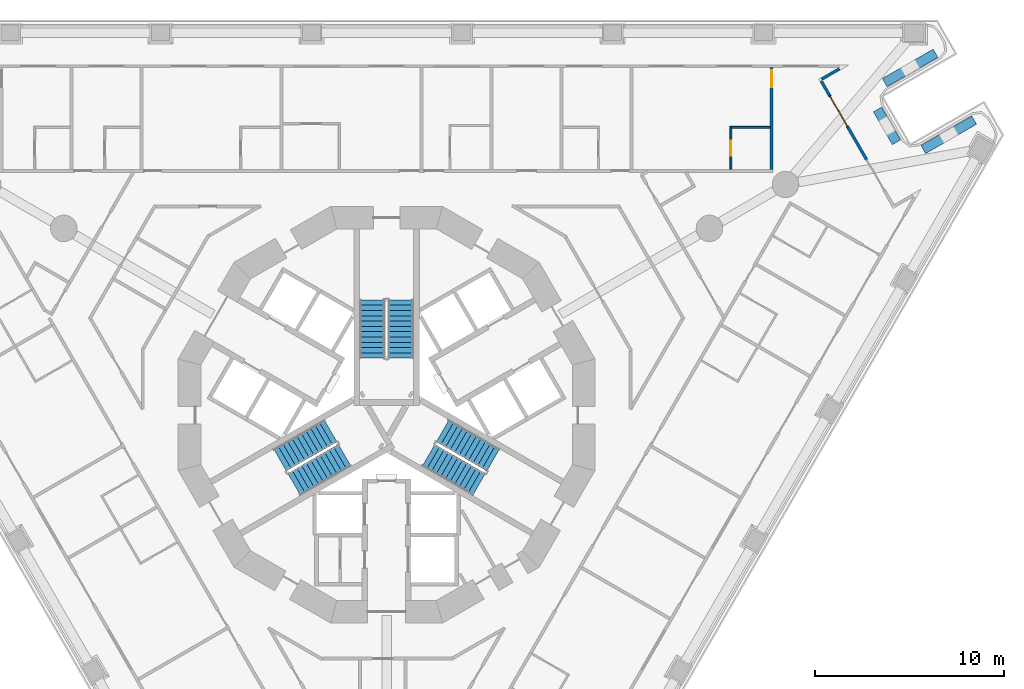
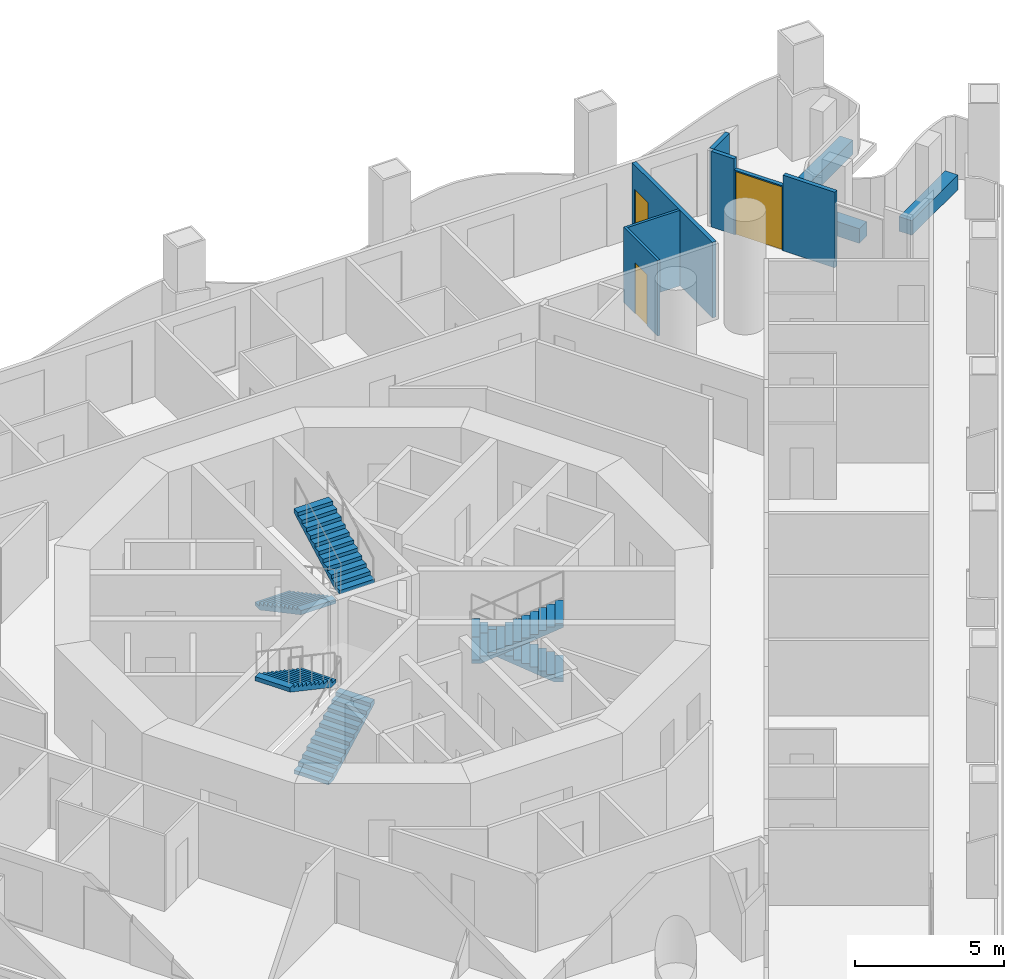
# One storey, part 10 of 19: 10 walls, 6 stair flights, 3 doors, 3 openings, 3 elements without a shape of their own.
"""IFC4 building model written with IfcOpenShell, lengths in metres."""

from ifc_helpers import new_model, si_unit, direction, frame, frame_2d, origin, place, context, subcontext, project, spatial, polyline, rectangle, outline, extrude, material, layer, layer_set, type_object, element, fill, aggregate, save


model = new_model("IFC4")

# Units and contexts
model_context = context("Model", 3, precision=1e-05, world=origin(), true_north=direction((0.0, 1.0)))
body_context = subcontext(model_context, "Body", "Model", "MODEL_VIEW")
ifc_project = project(units=[si_unit("LENGTHUNIT", "METRE"), si_unit("AREAUNIT", "SQUARE_METRE"), si_unit("VOLUMEUNIT", "CUBIC_METRE"), si_unit("PLANEANGLEUNIT", "RADIAN"), si_unit("MASSUNIT", "GRAM", prefix="KILO")], contexts=[model_context])

# Site, building, storey
site_placement = place(None, origin())
site = spatial("IfcSite", under=ifc_project, at=site_placement, CompositionType="ELEMENT")
building_placement = place(site_placement, origin())
building = spatial("IfcBuilding", under=site, at=building_placement, Name="Trine Commons Tower", CompositionType="ELEMENT")
storey_placement = place(building_placement, frame((0.0, 0.0, 42.300048828125)))
storey = spatial("IfcBuildingStorey", under=building, at=storey_placement, Name="L09", CompositionType="ELEMENT", Elevation=42.300048828125)

# Walls
ifc_material_1 = material(Name="Aluminium-framed insulated wall panel", Category="aluminium")
ifc_layer_1 = layer(ifc_material_1, 0.14990234375)
ifc_layer_set_1 = layer_set([ifc_layer_1], Name="Aluminium-framed insulated wall panel")
wall_type_1 = type_object("IfcWallType", Name="Glazed frame wall 150, EI 60", PredefinedType="SOLIDWALL", material=ifc_layer_set_1)
wall_1_placement = place(storey_placement, frame((104.060546875, 80.854248046875, 0.0), z_axis=(0.0, 0.0, 1.0), x_axis=(-0.86606770004, -0.49992673358, 0.0)))
element("IfcWall", 1, at=wall_1_placement, inside=storey, type_object=wall_type_1, Name="Glazed frame wall R5", PredefinedType="SOLIDWALL", context=body_context, shape_type="SweptSolid", body=[
    extrude(outline(polyline([(0.1494140625, 0.074951171875), (0.1494140625, -0.074951171875), (1.235107421875, -0.074951171875), (1.235107421875, 0.074951171875), (0.1494140625, 0.074951171875)])), origin(), (0.0, 0.0, 1.0), 3.099853515625),
])
wall_2_placement = place(storey_placement, frame((102.90869140625, 80.2294921875, 0.0), z_axis=(0.0, 0.0, 1.0), x_axis=(0.50002537861, -0.866010750942, 0.0)))
element("IfcWall", 2, at=wall_2_placement, inside=storey, type_object=wall_type_1, Name="Glazed frame wall P2.1", PredefinedType="SOLIDWALL", context=body_context, shape_type="SweptSolid", body=[
    extrude(outline(polyline([(0.110107421875, -0.074951171875), (1.0, -0.074951171875), (1.0, 0.074951171875), (0.110107421875, 0.074951171875), (0.110107421875, -0.074951171875)])), origin(), (0.0, 0.0, 1.0), 3.099853515625),
])

# Wall, opening, door
wall_3_placement = place(storey_placement, frame((103.40869140625, 79.363525390625, 0.0), z_axis=(0.0, 0.0, 1.0), x_axis=(0.499967155389, -0.866044365799, 0.0)))
wall_3 = element("IfcWall", 3, at=wall_3_placement, inside=storey, type_object=wall_type_1, Name="Glazed frame wall P2.2", PredefinedType="SOLIDWALL", context=body_context, shape_type="SweptSolid", body=[
    extrude(outline(polyline([(0.0, -0.074951171875), (1.89990234375, -0.074951171875), (1.89990234375, 0.074951171875), (0.0, 0.074951171875), (0.0, -0.074951171875)])), origin(), (0.0, 0.0, 1.0), 2.64990234375),
])
opening_1_placement = place(wall_3_placement, frame((0.050048828125, 0.0, 0.0)))
opening_1 = element("IfcOpeningElement", 4, at=opening_1_placement, cuts=wall_3, Name="Opening BD-1P2-01", PredefinedType="OPENING", context=body_context, shape_type="SweptSolid", body=[
    extrude(rectangle(XDim=1.800048828125, YDim=2.60009765625, at=frame_2d((0.89990234375, 1.300048828125))), frame((0.0, 0.0849609375, 0.0), z_axis=(0.0, -1.0, 0.0), x_axis=(1.0, 0.0, 0.0)), (0.0, 0.0, 1.0), 0.169921875),
])
ifc_material_2 = material(Name="Anodised aluminium frame with double glazing", Category="aluminium")
door_type_1 = type_object("IfcDoorType", Name="Sliding loggia door 1800x2600", OperationType="SLIDING_TO_LEFT", PredefinedType="DOOR", material=ifc_material_2)
door_1_placement = place(opening_1_placement, origin())
door_1 = element("IfcDoor", 5, at=door_1_placement, inside=storey, type_object=door_type_1, Name="Loggia door P2 1", OperationType="SLIDING_TO_LEFT", OverallHeight=2.60009765625, OverallWidth=1.800048828125, PredefinedType="DOOR", context=body_context, shape_type="SweptSolid", body=[
    extrude(rectangle(XDim=1.800048828125, YDim=2.60009765625, at=frame_2d((0.89990234375, 1.300048828125))), frame((0.0, 0.02490234375, 0.0), z_axis=(0.0, -1.0, 0.0), x_axis=(1.0, 0.0, 0.0)), (0.0, 0.0, 1.0), 0.050048828125),
])
fill(opening_1, door_1)

# Walls
wall_4_placement = place(storey_placement, frame((104.358642578125, 77.718017578125, 0.0), z_axis=(0.0, 0.0, 1.0), x_axis=(0.50002537861, -0.866010750942, 0.0)))
element("IfcWall", 6, at=wall_4_placement, inside=storey, type_object=wall_type_1, Name="Glazed frame wall P2.3", PredefinedType="SOLIDWALL", context=body_context, shape_type="SweptSolid", body=[
    extrude(outline(polyline([(0.0, -0.074951171875), (2.0, -0.074951171875), (2.0, 0.074951171875), (0.0, 0.074951171875), (0.0, -0.074951171875)])), origin(), (0.0, 0.0, 1.0), 3.099853515625),
])
ifc_material_3 = material(Name="Planter trough, precast concrete C40/50", Category="concrete")
ifc_layer_2 = layer(ifc_material_3, 0.5)
ifc_layer_set_2 = layer_set([ifc_layer_2], Name="Planter trough, precast concrete C40/50")
wall_type_2 = type_object("IfcWallType", Name="Planter trough 500x600", PredefinedType="PARAPET", material=ifc_layer_set_2)
wall_5_placement = place(storey_placement, frame((109.00439453125, 81.601318359375, 0.0), z_axis=(0.0, 0.0, 1.0), x_axis=(-0.86602952684, -0.49999285859, 0.0)))
element("IfcWall", 7, at=wall_5_placement, inside=storey, type_object=wall_type_2, Name="Planter 4", PredefinedType="PARAPET", context=body_context, shape_type="SweptSolid", body=[
    extrude(rectangle(XDim=3.10009765625, YDim=0.5, at=frame_2d((1.550048828125, 0.0))), origin(), (0.0, 0.0, 1.0), 0.599853515625),
])
wall_6_placement = place(storey_placement, frame((105.939208984375, 78.630615234375, 0.0), z_axis=(0.0, 0.0, 1.0), x_axis=(0.50002537861, -0.866010750942, 0.0)))
element("IfcWall", 8, at=wall_6_placement, inside=storey, type_object=wall_type_2, Name="Planter 5", PredefinedType="PARAPET", context=body_context, shape_type="SweptSolid", body=[
    extrude(rectangle(XDim=2.0, YDim=0.5, at=frame_2d((1.0, 0.0))), origin(), (0.0, 0.0, 1.0), 0.599853515625),
])
wall_7_placement = place(storey_placement, frame((108.359619140625, 76.51806640625, 0.0), z_axis=(0.0, 0.0, 1.0), x_axis=(0.86602952684, 0.49999285859, 0.0)))
element("IfcWall", 9, at=wall_7_placement, inside=storey, type_object=wall_type_2, Name="Planter 6", PredefinedType="PARAPET", context=body_context, shape_type="SweptSolid", body=[
    extrude(rectangle(XDim=3.10009765625, YDim=0.5, at=frame_2d((1.550048828125, 0.0))), origin(), (0.0, 0.0, 1.0), 0.599853515625),
])

# Wall, opening, door
ifc_material_4 = material(Name="Gypsum plasterboard on steel stud", Category="steel")
ifc_layer_3 = layer(ifc_material_4, 0.14990234375)
ifc_layer_set_3 = layer_set([ifc_layer_3], Name="Gypsum plasterboard on steel stud")
wall_type_3 = type_object("IfcWallType", Name="Unit and corridor wall 150 mm, EI 60", PredefinedType="PARTITIONING", material=ifc_layer_set_3)
wall_8_placement = place(storey_placement, frame((100.343994140625, 75.4619140625, 0.0), z_axis=(0.0, 0.0, 1.0), x_axis=(0.0, 1.0, 0.0)))
wall_8 = element("IfcWall", 10, at=wall_8_placement, inside=storey, type_object=wall_type_3, Name="Partition 120", PredefinedType="PARTITIONING", context=body_context, shape_type="SweptSolid", body=[
    extrude(rectangle(XDim=5.383056640625, YDim=0.14990234375, at=frame_2d((2.69140625, 0.0))), origin(), (0.0, 0.0, 1.0), 3.099853515625),
])
opening_2_placement = place(wall_8_placement, frame((4.3330078125, 0.0, 0.0)))
opening_2 = element("IfcOpeningElement", 11, at=opening_2_placement, cuts=wall_8, Name="Opening D-1B14", PredefinedType="OPENING", context=body_context, shape_type="SweptSolid", body=[
    extrude(rectangle(XDim=0.89990234375, YDim=2.10009765625, at=frame_2d((0.449951171875, 1.050048828125))), frame((0.0, 0.0849609375, 0.0), z_axis=(0.0, -1.0, 0.0), x_axis=(1.0, 0.0, 0.0)), (0.0, 0.0, 1.0), 0.169921875),
])
ifc_material_5 = material(Name="Timber fire door set", Category="wood")
door_type_2 = type_object("IfcDoorType", Name="Bedroom door 900 x 2100, FD30S", OperationType="NOTDEFINED", PredefinedType="DOOR", material=ifc_material_5)
door_2_placement = place(opening_2_placement, origin())
door_2 = element("IfcDoor", 12, at=door_2_placement, inside=storey, type_object=door_type_2, Name="Door D-1B14", OperationType="SINGLE_SWING_RIGHT", OverallHeight=2.10009765625, OverallWidth=0.89990234375, PredefinedType="DOOR", context=body_context, shape_type="SweptSolid", body=[
    extrude(rectangle(XDim=0.89990234375, YDim=2.10009765625, at=frame_2d((0.449951171875, 1.050048828125))), frame((0.0, 0.02490234375, 0.0), z_axis=(0.0, -1.0, 0.0), x_axis=(1.0, 0.0, 0.0)), (0.0, 0.0, 1.0), 0.050048828125),
])
fill(opening_2, door_2)

ifc_layer_4 = layer(ifc_material_4, 0.10009765625)
ifc_layer_set_4 = layer_set([ifc_layer_4], Name="Gypsum plasterboard on steel stud")
wall_type_4 = type_object("IfcWallType", Name="Unit partition 100 mm, no rating", PredefinedType="PARTITIONING", material=ifc_layer_set_4)
wall_9_placement = place(storey_placement, frame((98.194091796875, 75.4619140625, 0.0), z_axis=(0.0, 0.0, 1.0), x_axis=(0.0, 1.0, 0.0)))
wall_9 = element("IfcWall", 13, at=wall_9_placement, inside=storey, type_object=wall_type_4, Name="Partition 114", PredefinedType="PARTITIONING", context=body_context, shape_type="SweptSolid", body=[
    extrude(rectangle(XDim=2.275146484375, YDim=0.10009765625, at=frame_2d((1.1376953125, 0.0))), origin(), (0.0, 0.0, 1.0), 3.099853515625),
])
opening_3_placement = place(wall_9_placement, frame((0.71240234375, 0.0, 0.0)))
opening_3 = element("IfcOpeningElement", 14, at=opening_3_placement, cuts=wall_9, Name="Opening D-1B43", PredefinedType="OPENING", context=body_context, shape_type="SweptSolid", body=[
    extrude(rectangle(XDim=0.800048828125, YDim=2.10009765625, at=frame_2d((0.39990234375, 1.050048828125))), frame((0.0, 0.06005859375, 0.0), z_axis=(0.0, -1.0, 0.0), x_axis=(1.0, 0.0, 0.0)), (0.0, 0.0, 1.0), 0.1201171875),
])
ifc_material_6 = material(Name="Painted timber", Category="wood")
door_type_3 = type_object("IfcDoorType", Name="Internal door 800 x 2100, NOT RATED", OperationType="NOTDEFINED", PredefinedType="DOOR", material=ifc_material_6)
door_3_placement = place(opening_3_placement, origin())
door_3 = element("IfcDoor", 15, at=door_3_placement, inside=storey, type_object=door_type_3, Name="Door D-1B43", OperationType="SINGLE_SWING_LEFT", OverallHeight=2.10009765625, OverallWidth=0.800048828125, PredefinedType="DOOR", context=body_context, shape_type="SweptSolid", body=[
    extrude(rectangle(XDim=0.800048828125, YDim=2.10009765625, at=frame_2d((0.39990234375, 1.050048828125))), frame((0.0, 0.02490234375, 0.0), z_axis=(0.0, -1.0, 0.0), x_axis=(1.0, 0.0, 0.0)), (0.0, 0.0, 1.0), 0.050048828125),
])
fill(opening_3, door_3)

# Wall
wall_10_placement = place(storey_placement, frame((98.243896484375, 77.68701171875, 0.0), z_axis=(0.0, 0.0, 1.0), x_axis=(1.0, 0.0, 0.0)))
element("IfcWall", 16, at=wall_10_placement, inside=storey, type_object=wall_type_4, Name="Partition 115", PredefinedType="PARTITIONING", context=body_context, shape_type="SweptSolid", body=[
    extrude(rectangle(XDim=2.025146484375, YDim=0.10009765625, at=frame_2d((1.0126953125, 0.0))), origin(), (0.0, 0.0, 1.0), 3.099853515625),
])

# Stair, stair flights
ifc_material_7 = material(Name="Concrete C50/60", Category="concrete")
stair_type = type_object("IfcStairType", Name="Exit stair, dog-leg, 24 risers of 150 mm", PredefinedType="HALF_TURN_STAIR", material=ifc_material_7)
stair_1_placement = place(storey_placement, origin())
stair_1 = element("IfcStair", 17, at=stair_1_placement, inside=storey, type_object=stair_type, Name="L09 Exit stair ST1A", PredefinedType="HALF_TURN_STAIR")
stair_flight_type = type_object("IfcStairFlightType", Name="Stair flight, 1350 wide, 12 risers of 150 mm", PredefinedType="STRAIGHT", material=ifc_material_7)
stair_flight_1_placement = place(storey_placement, frame((79.25, 68.570556640625, 0.0), z_axis=(0.0, 0.0, 1.0), x_axis=(0.0, -1.0, 0.0)))
stair_flight_1 = element("IfcStairFlight", 18, at=stair_flight_1_placement, type_object=stair_flight_type, Name="ST1A flight 1", NumberOfRisers=12, NumberOfTreads=11, PredefinedType="STRAIGHT", RiserHeight=0.15, TreadLength=0.28, context=body_context, shape_type="SweptSolid", body=[
    extrude(outline(polyline([(0.0, 0.0), (0.0, 0.14990234375), (0.280029296875, 0.14990234375), (0.280029296875, 0.300048828125), (0.56005859375, 0.300048828125), (0.56005859375, 0.449951171875), (0.840087890625, 0.449951171875), (0.840087890625, 0.60009765625), (1.1201171875, 0.60009765625), (1.1201171875, 0.75), (1.39990234375, 0.75), (1.39990234375, 0.89990234375), (1.679931640625, 0.89990234375), (1.679931640625, 1.050048828125), (1.9599609375, 1.050048828125), (1.9599609375, 1.199951171875), (2.239990234375, 1.199951171875), (2.239990234375, 1.35009765625), (2.52001953125, 1.35009765625), (2.52001953125, 1.5), (2.800048828125, 1.5), (2.800048828125, 1.64990234375), (3.080078125, 1.64990234375), (3.080078125, 1.800048828125), (3.080078125, 1.47998046875), (0.3173828125, 0.0), (0.0, 0.0)])), frame((0.0, 0.675048828125, 0.0), z_axis=(0.0, -1.0, 0.0), x_axis=(1.0, 0.0, 0.0)), (0.0, 0.0, 1.0), 1.35009765625),
])
stair_flight_2_placement = place(storey_placement, frame((80.75, 65.490478515625, 1.800048828125), z_axis=(0.0, 0.0, 1.0), x_axis=(0.0, 1.0, 0.0)))
stair_flight_2 = element("IfcStairFlight", 19, at=stair_flight_2_placement, type_object=stair_flight_type, Name="ST1A flight 2", NumberOfRisers=12, NumberOfTreads=11, PredefinedType="STRAIGHT", RiserHeight=0.15, TreadLength=0.28, context=body_context, shape_type="SweptSolid", body=[
    extrude(outline(polyline([(0.0, 0.0), (0.0, 0.14990234375), (0.280029296875, 0.14990234375), (0.280029296875, 0.300048828125), (0.56005859375, 0.300048828125), (0.56005859375, 0.449951171875), (0.840087890625, 0.449951171875), (0.840087890625, 0.60009765625), (1.1201171875, 0.60009765625), (1.1201171875, 0.75), (1.39990234375, 0.75), (1.39990234375, 0.89990234375), (1.679931640625, 0.89990234375), (1.679931640625, 1.050048828125), (1.9599609375, 1.050048828125), (1.9599609375, 1.199951171875), (2.239990234375, 1.199951171875), (2.239990234375, 1.35009765625), (2.52001953125, 1.35009765625), (2.52001953125, 1.5), (2.800048828125, 1.5), (2.800048828125, 1.64990234375), (3.080078125, 1.64990234375), (3.080078125, 1.800048828125), (3.080078125, 1.47998046875), (0.3173828125, 0.0), (0.0, 0.0)])), frame((0.0, 0.675048828125, 0.0), z_axis=(0.0, -1.0, 0.0), x_axis=(1.0, 0.0, 0.0)), (0.0, 0.0, 1.0), 1.35009765625),
])
aggregate(stair_1, [stair_flight_1, stair_flight_2])

stair_2_placement = place(storey_placement, origin())
stair_2 = element("IfcStair", 20, at=stair_2_placement, inside=storey, type_object=stair_type, Name="L09 Exit stair ST2A", PredefinedType="HALF_TURN_STAIR")
stair_flight_3_placement = place(storey_placement, frame((75.11767578125, 58.815185546875, 0.0), z_axis=(0.0, 0.0, 1.0), x_axis=(0.866025403784, 0.5, 0.0)))
stair_flight_3 = element("IfcStairFlight", 21, at=stair_flight_3_placement, type_object=stair_flight_type, Name="ST2A flight 1", NumberOfRisers=12, NumberOfTreads=11, PredefinedType="STRAIGHT", RiserHeight=0.15, TreadLength=0.28, context=body_context, shape_type="SweptSolid", body=[
    extrude(outline(polyline([(0.0, 0.0), (0.0, 0.14990234375), (0.280029296875, 0.14990234375), (0.280029296875, 0.300048828125), (0.56005859375, 0.300048828125), (0.56005859375, 0.449951171875), (0.840087890625, 0.449951171875), (0.840087890625, 0.60009765625), (1.1201171875, 0.60009765625), (1.1201171875, 0.75), (1.39990234375, 0.75), (1.39990234375, 0.89990234375), (1.679931640625, 0.89990234375), (1.679931640625, 1.050048828125), (1.9599609375, 1.050048828125), (1.9599609375, 1.199951171875), (2.239990234375, 1.199951171875), (2.239990234375, 1.35009765625), (2.52001953125, 1.35009765625), (2.52001953125, 1.5), (2.800048828125, 1.5), (2.800048828125, 1.64990234375), (3.080078125, 1.64990234375), (3.080078125, 1.800048828125), (3.080078125, 1.47998046875), (0.3173828125, 0.0), (0.0, 0.0)])), frame((0.0, 0.675048828125, 0.0), z_axis=(0.0, -1.0, 0.0), x_axis=(1.0, 0.0, 0.0)), (0.0, 0.0, 1.0), 1.35009765625),
])
stair_flight_4_placement = place(storey_placement, frame((77.03515625, 61.654296875, 1.800048828125), z_axis=(0.0, 0.0, 1.0), x_axis=(-0.866025403784, -0.5, 0.0)))
stair_flight_4 = element("IfcStairFlight", 22, at=stair_flight_4_placement, type_object=stair_flight_type, Name="ST2A flight 2", NumberOfRisers=12, NumberOfTreads=11, PredefinedType="STRAIGHT", RiserHeight=0.15, TreadLength=0.28, context=body_context, shape_type="SweptSolid", body=[
    extrude(outline(polyline([(0.0, 0.0), (0.0, 0.14990234375), (0.280029296875, 0.14990234375), (0.280029296875, 0.300048828125), (0.56005859375, 0.300048828125), (0.56005859375, 0.449951171875), (0.840087890625, 0.449951171875), (0.840087890625, 0.60009765625), (1.1201171875, 0.60009765625), (1.1201171875, 0.75), (1.39990234375, 0.75), (1.39990234375, 0.89990234375), (1.679931640625, 0.89990234375), (1.679931640625, 1.050048828125), (1.9599609375, 1.050048828125), (1.9599609375, 1.199951171875), (2.239990234375, 1.199951171875), (2.239990234375, 1.35009765625), (2.52001953125, 1.35009765625), (2.52001953125, 1.5), (2.800048828125, 1.5), (2.800048828125, 1.64990234375), (3.080078125, 1.64990234375), (3.080078125, 1.800048828125), (3.080078125, 1.47998046875), (0.3173828125, 0.0), (0.0, 0.0)])), frame((0.0, 0.675048828125, 0.0), z_axis=(0.0, -1.0, 0.0), x_axis=(1.0, 0.0, 0.0)), (0.0, 0.0, 1.0), 1.35009765625),
])
aggregate(stair_2, [stair_flight_3, stair_flight_4])

stair_3_placement = place(storey_placement, origin())
stair_3 = element("IfcStair", 23, at=stair_3_placement, inside=storey, type_object=stair_type, Name="L09 Exit stair ST3A", PredefinedType="HALF_TURN_STAIR")
stair_flight_5_placement = place(storey_placement, frame((85.63232421875, 60.1142578125, 0.0), z_axis=(0.0, 0.0, 1.0), x_axis=(-0.866025403784, 0.5, 0.0)))
stair_flight_5 = element("IfcStairFlight", 24, at=stair_flight_5_placement, type_object=stair_flight_type, Name="ST3A flight 1", NumberOfRisers=12, NumberOfTreads=11, PredefinedType="STRAIGHT", RiserHeight=0.15, TreadLength=0.28, context=body_context, shape_type="SweptSolid", body=[
    extrude(outline(polyline([(0.0, 0.0), (0.0, 0.14990234375), (0.280029296875, 0.14990234375), (0.280029296875, 0.300048828125), (0.56005859375, 0.300048828125), (0.56005859375, 0.449951171875), (0.840087890625, 0.449951171875), (0.840087890625, 0.60009765625), (1.1201171875, 0.60009765625), (1.1201171875, 0.75), (1.39990234375, 0.75), (1.39990234375, 0.89990234375), (1.679931640625, 0.89990234375), (1.679931640625, 1.050048828125), (1.9599609375, 1.050048828125), (1.9599609375, 1.199951171875), (2.239990234375, 1.199951171875), (2.239990234375, 1.35009765625), (2.52001953125, 1.35009765625), (2.52001953125, 1.5), (2.800048828125, 1.5), (2.800048828125, 1.64990234375), (3.080078125, 1.64990234375), (3.080078125, 1.800048828125), (3.080078125, 1.47998046875), (0.3173828125, 0.0), (0.0, 0.0)])), frame((0.0, 0.675048828125, 0.0), z_axis=(0.0, -1.0, 0.0), x_axis=(1.0, 0.0, 0.0)), (0.0, 0.0, 1.0), 1.35009765625),
])
stair_flight_6_placement = place(storey_placement, frame((82.21484375, 60.355224609375, 1.800048828125), z_axis=(0.0, 0.0, 1.0), x_axis=(0.866025403784, -0.5, 0.0)))
stair_flight_6 = element("IfcStairFlight", 25, at=stair_flight_6_placement, type_object=stair_flight_type, Name="ST3A flight 2", NumberOfRisers=12, NumberOfTreads=11, PredefinedType="STRAIGHT", RiserHeight=0.15, TreadLength=0.28, context=body_context, shape_type="SweptSolid", body=[
    extrude(outline(polyline([(0.0, 0.0), (0.0, 0.14990234375), (0.280029296875, 0.14990234375), (0.280029296875, 0.300048828125), (0.56005859375, 0.300048828125), (0.56005859375, 0.449951171875), (0.840087890625, 0.449951171875), (0.840087890625, 0.60009765625), (1.1201171875, 0.60009765625), (1.1201171875, 0.75), (1.39990234375, 0.75), (1.39990234375, 0.89990234375), (1.679931640625, 0.89990234375), (1.679931640625, 1.050048828125), (1.9599609375, 1.050048828125), (1.9599609375, 1.199951171875), (2.239990234375, 1.199951171875), (2.239990234375, 1.35009765625), (2.52001953125, 1.35009765625), (2.52001953125, 1.5), (2.800048828125, 1.5), (2.800048828125, 1.64990234375), (3.080078125, 1.64990234375), (3.080078125, 1.800048828125), (3.080078125, 1.47998046875), (0.3173828125, 0.0), (0.0, 0.0)])), frame((0.0, 0.675048828125, 0.0), z_axis=(0.0, -1.0, 0.0), x_axis=(1.0, 0.0, 0.0)), (0.0, 0.0, 1.0), 1.35009765625),
])
aggregate(stair_3, [stair_flight_5, stair_flight_6])

save(model, "model.ifc")
